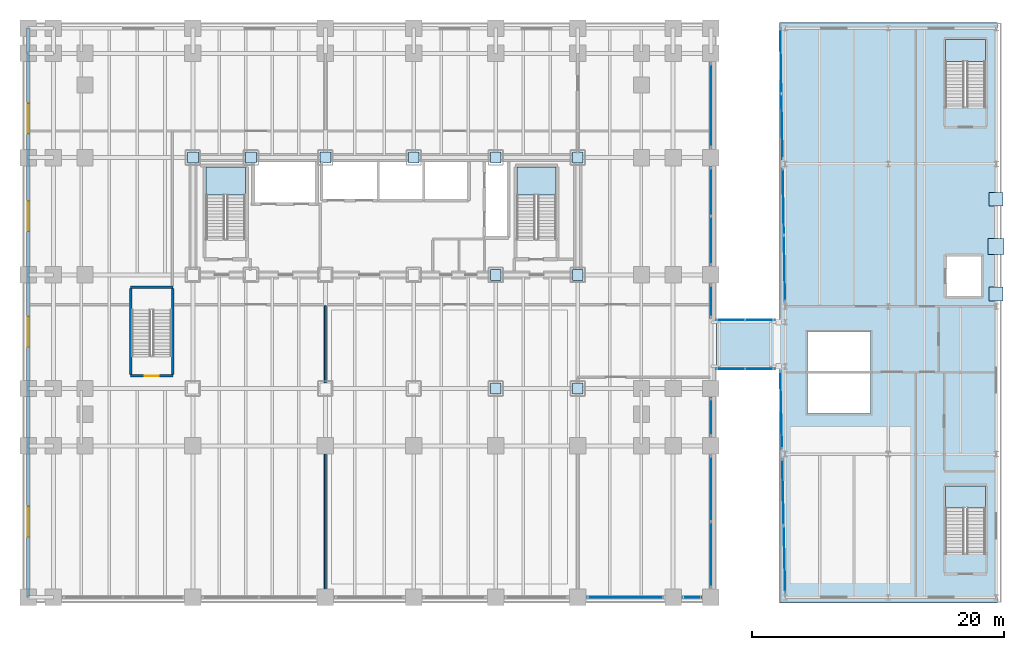
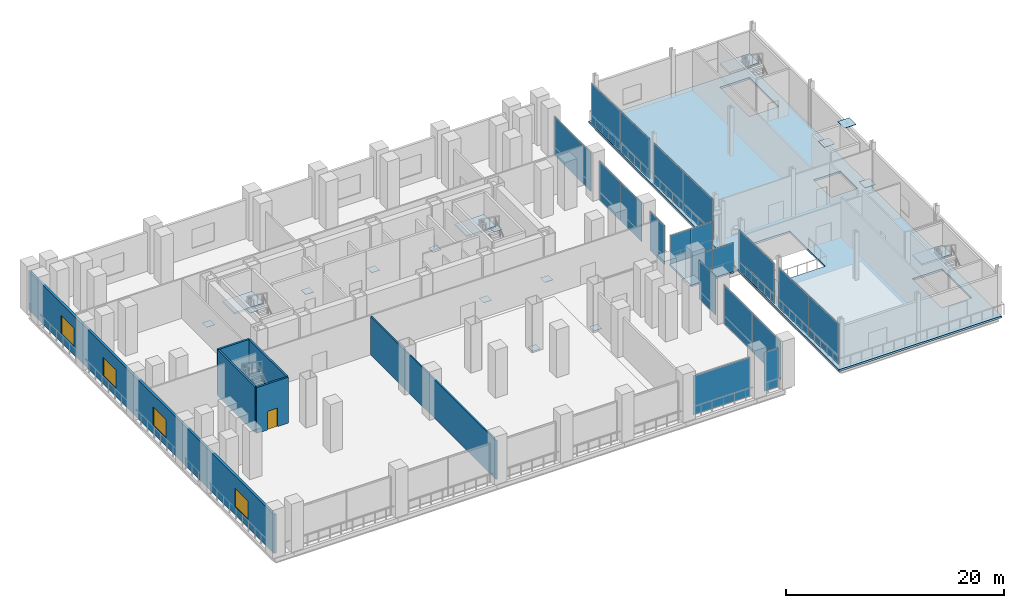
# One storey, part 21 of 31: 33 plates, 6 slabs, 6 walls, 4 windows, 1 door, 9 openings, 17 elements without a shape of their own.
"""IFC4 building model written with IfcOpenShell, lengths in metres."""

from ifc_helpers import new_model, si_unit, direction, frame, frame_2d, origin, origin_2d, place, context, subcontext, project, spatial, polyline, rectangle, outline, extrude, material, layer, layer_set, type_object, element, fill, aggregate, save


model = new_model("IFC4")

# Units and contexts
model_context = context("Model", 3, precision=1e-05, world=origin(), true_north=direction((0.0, 1.0)))
body_context = subcontext(model_context, "Body", "Model", "MODEL_VIEW")
ifc_project = project(units=[si_unit("LENGTHUNIT", "METRE"), si_unit("AREAUNIT", "SQUARE_METRE"), si_unit("VOLUMEUNIT", "CUBIC_METRE"), si_unit("PLANEANGLEUNIT", "RADIAN"), si_unit("MASSUNIT", "GRAM", prefix="KILO")], contexts=[model_context])

# Site, building, storey
site_placement = place(None, origin())
site = spatial("IfcSite", under=ifc_project, at=site_placement, CompositionType="ELEMENT")
building_placement = place(site_placement, origin())
building = spatial("IfcBuilding", under=site, at=building_placement, Name="Noeulbin Bourse Tower", CompositionType="ELEMENT")
storey_placement = place(building_placement, frame((0.0, 0.0, 11.199951171875)))
storey = spatial("IfcBuildingStorey", under=building, at=storey_placement, Name="L03", CompositionType="ELEMENT", Elevation=11.199951171875)

# Curtain wall, plate
ifc_material_1 = material(Name="Laminated Clear Low-E Glass", Category="glass")
curtain_wall_type_1 = type_object("IfcCurtainWallType", Name="CW-SYS-1", PredefinedType="NOTDEFINED", material=ifc_material_1)
curtain_wall_1_placement = place(storey_placement, origin())
curtain_wall_1 = element("IfcCurtainWall", 1, at=curtain_wall_1_placement, inside=storey, type_object=curtain_wall_type_1, Name="Unitised Curtain Wall CW-L03-POD-S-S6", PredefinedType="NOTDEFINED")
ifc_layer_1 = layer(ifc_material_1, 0.035888671875)
ifc_layer_set_1 = layer_set([ifc_layer_1], Name="Laminated Clear Low-E Glass")
plate_type_1 = type_object("IfcPlateType", Name="CW-SYS-1-PNL", PredefinedType="CURTAIN_PANEL", material=ifc_layer_set_1)
plate_1_placement = place(storey_placement, frame((47.77490234375, 3.449951171875, 0.0), z_axis=(0.0, 0.0, 1.0), x_axis=(1.0, 0.0, 0.0)))
plate_1 = element("IfcPlate", 2, at=plate_1_placement, type_object=plate_type_1, Name="Glazed Curtain Panel CW-L03-POD-S-S6-P00", PredefinedType="CURTAIN_PANEL", context=body_context, shape_type="SweptSolid", body=[
    extrude(rectangle(XDim=5.97998046875, YDim=0.035888671875, at=origin_2d()), origin(), (0.0, 0.0, 1.0), 4.3701171875),
])
aggregate(curtain_wall_1, [plate_1])

curtain_wall_2_placement = place(storey_placement, origin())
curtain_wall_2 = element("IfcCurtainWall", 3, at=curtain_wall_2_placement, inside=storey, type_object=curtain_wall_type_1, Name="Unitised Curtain Wall CW-L03-POD-S-S7", PredefinedType="NOTDEFINED")
plate_2_placement = place(storey_placement, frame((53.050048828125, 3.449951171875, 0.0), z_axis=(0.0, 0.0, 1.0), x_axis=(1.0, 0.0, 0.0)))
plate_2 = element("IfcPlate", 4, at=plate_2_placement, type_object=plate_type_1, Name="Glazed Curtain Panel CW-L03-POD-S-S7-P00", PredefinedType="CURTAIN_PANEL", context=body_context, shape_type="SweptSolid", body=[
    extrude(rectangle(XDim=1.429931640625, YDim=0.035888671875, at=origin_2d()), origin(), (0.0, 0.0, 1.0), 4.3701171875),
])
aggregate(curtain_wall_2, [plate_2])

# Curtain wall, plates
curtain_wall_3_placement = place(storey_placement, origin())
curtain_wall_3 = element("IfcCurtainWall", 5, at=curtain_wall_3_placement, inside=storey, type_object=curtain_wall_type_1, Name="Unitised Curtain Wall CW-L03-POD-E1-S1", PredefinedType="NOTDEFINED")
plate_3_placement = place(storey_placement, frame((54.550048828125, 6.842529296875, 0.0), z_axis=(0.0, 0.0, 1.0), x_axis=(0.0, 1.0, 0.0)))
plate_3 = element("IfcPlate", 6, at=plate_3_placement, type_object=plate_type_1, Name="Glazed Curtain Panel CW-L03-POD-E1-S1-P00", PredefinedType="CURTAIN_PANEL", context=body_context, shape_type="SweptSolid", body=[
    extrude(rectangle(XDim=5.215087890625, YDim=0.035888671875, at=origin_2d()), origin(), (0.0, 0.0, 1.0), 4.3701171875),
])
plate_4_placement = place(storey_placement, frame((54.550048828125, 12.0576171875, 0.0), z_axis=(0.0, 0.0, 1.0), x_axis=(0.0, 1.0, 0.0)))
plate_4 = element("IfcPlate", 7, at=plate_4_placement, type_object=plate_type_1, Name="Glazed Curtain Panel CW-L03-POD-E1-S1-P01", PredefinedType="CURTAIN_PANEL", context=body_context, shape_type="SweptSolid", body=[
    extrude(rectangle(XDim=5.215087890625, YDim=0.035888671875, at=origin_2d()), origin(), (0.0, 0.0, 1.0), 4.3701171875),
])
aggregate(curtain_wall_3, [plate_3, plate_4])

# Curtain wall, plate
curtain_wall_4_placement = place(storey_placement, origin())
curtain_wall_4 = element("IfcCurtainWall", 8, at=curtain_wall_4_placement, inside=storey, type_object=curtain_wall_type_1, Name="Unitised Curtain Wall CW-L03-POD-E1-S2", PredefinedType="NOTDEFINED")
plate_5_placement = place(storey_placement, frame((54.550048828125, 17.72509765625, 0.0), z_axis=(0.0, 0.0, 1.0), x_axis=(0.0, 1.0, 0.0)))
plate_5 = element("IfcPlate", 9, at=plate_5_placement, type_object=plate_type_1, Name="Glazed Curtain Panel CW-L03-POD-E1-S2-P00", PredefinedType="CURTAIN_PANEL", context=body_context, shape_type="SweptSolid", body=[
    extrude(rectangle(XDim=2.97998046875, YDim=0.035888671875, at=origin_2d()), origin(), (0.0, 0.0, 1.0), 4.3701171875),
])
aggregate(curtain_wall_4, [plate_5])

curtain_wall_5_placement = place(storey_placement, origin())
curtain_wall_5 = element("IfcCurtainWall", 10, at=curtain_wall_5_placement, inside=storey, type_object=curtain_wall_type_1, Name="Unitised Curtain Wall CW-L03-POD-E2-S1", PredefinedType="NOTDEFINED")
plate_6_placement = place(storey_placement, frame((54.550048828125, 26.907470703125, 0.0), z_axis=(0.0, 0.0, 1.0), x_axis=(0.0, 1.0, 0.0)))
plate_6 = element("IfcPlate", 11, at=plate_6_placement, type_object=plate_type_1, Name="Glazed Curtain Panel CW-L03-POD-E2-S1-P00", PredefinedType="CURTAIN_PANEL", context=body_context, shape_type="SweptSolid", body=[
    extrude(rectangle(XDim=2.614990234375, YDim=0.035888671875, at=origin_2d()), origin(), (0.0, 0.0, 1.0), 4.3701171875),
])
aggregate(curtain_wall_5, [plate_6])

# Curtain wall, plates
curtain_wall_6_placement = place(storey_placement, origin())
curtain_wall_6 = element("IfcCurtainWall", 12, at=curtain_wall_6_placement, inside=storey, type_object=curtain_wall_type_1, Name="Unitised Curtain Wall CW-L03-POD-E2-S2", PredefinedType="NOTDEFINED")
plate_7_placement = place(storey_placement, frame((54.550048828125, 31.717529296875, 0.0), z_axis=(0.0, 0.0, 1.0), x_axis=(0.0, 1.0, 0.0)))
plate_7 = element("IfcPlate", 13, at=plate_7_placement, type_object=plate_type_1, Name="Glazed Curtain Panel CW-L03-POD-E2-S2-P00", PredefinedType="CURTAIN_PANEL", context=body_context, shape_type="SweptSolid", body=[
    extrude(rectangle(XDim=3.864990234375, YDim=0.035888671875, at=origin_2d()), origin(), (0.0, 0.0, 1.0), 4.3701171875),
])
plate_8_placement = place(storey_placement, frame((54.550048828125, 35.58251953125, 0.0), z_axis=(0.0, 0.0, 1.0), x_axis=(0.0, 1.0, 0.0)))
plate_8 = element("IfcPlate", 14, at=plate_8_placement, type_object=plate_type_1, Name="Glazed Curtain Panel CW-L03-POD-E2-S2-P01", PredefinedType="CURTAIN_PANEL", context=body_context, shape_type="SweptSolid", body=[
    extrude(rectangle(XDim=3.864990234375, YDim=0.035888671875, at=origin_2d()), origin(), (0.0, 0.0, 1.0), 4.3701171875),
])
aggregate(curtain_wall_6, [plate_7, plate_8])

# Curtain wall, plate
curtain_wall_7_placement = place(storey_placement, origin())
curtain_wall_7 = element("IfcCurtainWall", 15, at=curtain_wall_7_placement, inside=storey, type_object=curtain_wall_type_1, Name="Unitised Curtain Wall CW-L03-POD-E2-S3", PredefinedType="NOTDEFINED")
plate_9_placement = place(storey_placement, frame((54.550048828125, 42.425048828125, 0.0), z_axis=(0.0, 0.0, 1.0), x_axis=(0.0, 1.0, 0.0)))
plate_9 = element("IfcPlate", 16, at=plate_9_placement, type_object=plate_type_1, Name="Glazed Curtain Panel CW-L03-POD-E2-S3-P00", PredefinedType="CURTAIN_PANEL", context=body_context, shape_type="SweptSolid", body=[
    extrude(rectangle(XDim=6.679931640625, YDim=0.035888671875, at=origin_2d()), origin(), (0.0, 0.0, 1.0), 4.3701171875),
])
aggregate(curtain_wall_7, [plate_9])

# Curtain wall, plates
curtain_wall_8_placement = place(storey_placement, origin())
curtain_wall_8 = element("IfcCurtainWall", 17, at=curtain_wall_8_placement, inside=storey, type_object=curtain_wall_type_1, Name="Unitised Curtain Wall CW-L03-MKT-W1-S1", PredefinedType="NOTDEFINED")
plate_10_placement = place(storey_placement, frame((60.382568359375, 6.474609375, 0.0), z_axis=(0.0, 0.0, 1.0), x_axis=(-0.022286009351, 0.999751636051, 0.0)))
plate_10 = element("IfcPlate", 18, at=plate_10_placement, type_object=plate_type_1, Name="Glazed Curtain Panel CW-L03-MKT-W1-S1-P00", PredefinedType="CURTAIN_PANEL", context=body_context, shape_type="SweptSolid", body=[
    extrude(rectangle(XDim=5.30224609375, YDim=0.035888671875, at=origin_2d()), origin(), (0.0, 0.0, 1.0), 4.5),
])
plate_11_placement = place(storey_placement, frame((60.264404296875, 11.775390625, 0.0), z_axis=(0.0, 0.0, 1.0), x_axis=(-0.022286009351, 0.999751636051, 0.0)))
plate_11 = element("IfcPlate", 19, at=plate_11_placement, type_object=plate_type_1, Name="Glazed Curtain Panel CW-L03-MKT-W1-S1-P01", PredefinedType="CURTAIN_PANEL", context=body_context, shape_type="SweptSolid", body=[
    extrude(rectangle(XDim=5.30224609375, YDim=0.035888671875, at=origin_2d()), origin(), (0.0, 0.0, 1.0), 4.5),
])
aggregate(curtain_wall_8, [plate_10, plate_11])

# Curtain wall, plate
curtain_wall_9_placement = place(storey_placement, origin())
curtain_wall_9 = element("IfcCurtainWall", 20, at=curtain_wall_9_placement, inside=storey, type_object=curtain_wall_type_1, Name="Unitised Curtain Wall CW-L03-MKT-W1-S2", PredefinedType="NOTDEFINED")
plate_12_placement = place(storey_placement, frame((60.119384765625, 18.287109375, 0.0), z_axis=(0.0, 0.0, 1.0), x_axis=(-0.02226856039, 0.999752024863, 0.0)))
plate_12 = element("IfcPlate", 21, at=plate_12_placement, type_object=plate_type_1, Name="Glazed Curtain Panel CW-L03-MKT-W1-S2-P00", PredefinedType="CURTAIN_PANEL", context=body_context, shape_type="SweptSolid", body=[
    extrude(rectangle(XDim=6.2275390625, YDim=0.035888671875, at=origin_2d()), origin(), (0.0, 0.0, 1.0), 4.5),
])
aggregate(curtain_wall_9, [plate_12])

# Curtain wall, plates
curtain_wall_10_placement = place(storey_placement, origin())
curtain_wall_10 = element("IfcCurtainWall", 22, at=curtain_wall_10_placement, inside=storey, type_object=curtain_wall_type_1, Name="Unitised Curtain Wall CW-L03-MKT-W2-S1", PredefinedType="NOTDEFINED")
plate_13_placement = place(storey_placement, frame((60.3818359375, 29.511962890625, 0.0), z_axis=(0.0, 0.0, 1.0), x_axis=(-0.017417505158, 0.999848303751, 0.0)))
plate_13 = element("IfcPlate", 23, at=plate_13_placement, type_object=plate_type_1, Name="Glazed Curtain Panel CW-L03-MKT-W2-S1-P00", PredefinedType="CURTAIN_PANEL", context=body_context, shape_type="SweptSolid", body=[
    extrude(rectangle(XDim=5.27685546875, YDim=0.035888671875, at=origin_2d()), origin(), (0.0, 0.0, 1.0), 4.5),
])
plate_14_placement = place(storey_placement, frame((60.289794921875, 34.7880859375, 0.0), z_axis=(0.0, 0.0, 1.0), x_axis=(-0.017417505158, 0.999848303751, 0.0)))
plate_14 = element("IfcPlate", 24, at=plate_14_placement, type_object=plate_type_1, Name="Glazed Curtain Panel CW-L03-MKT-W2-S1-P01", PredefinedType="CURTAIN_PANEL", context=body_context, shape_type="SweptSolid", body=[
    extrude(rectangle(XDim=5.27685546875, YDim=0.035888671875, at=origin_2d()), origin(), (0.0, 0.0, 1.0), 4.5),
])
aggregate(curtain_wall_10, [plate_13, plate_14])

curtain_wall_11_placement = place(storey_placement, origin())
curtain_wall_11 = element("IfcCurtainWall", 25, at=curtain_wall_11_placement, inside=storey, type_object=curtain_wall_type_1, Name="Unitised Curtain Wall CW-L03-MKT-W2-S2", PredefinedType="NOTDEFINED")
plate_15_placement = place(storey_placement, frame((60.185546875, 40.76806640625, 0.0), z_axis=(0.0, 0.0, 1.0), x_axis=(-0.017417505158, 0.999848303751, 0.0)))
plate_15 = element("IfcPlate", 26, at=plate_15_placement, type_object=plate_type_1, Name="Glazed Curtain Panel CW-L03-MKT-W2-S2-P00", PredefinedType="CURTAIN_PANEL", context=body_context, shape_type="SweptSolid", body=[
    extrude(rectangle(XDim=5.188720703125, YDim=0.035888671875, at=origin_2d()), origin(), (0.0, 0.0, 1.0), 4.5),
])
plate_16_placement = place(storey_placement, frame((60.09521484375, 45.9560546875, 0.0), z_axis=(0.0, 0.0, 1.0), x_axis=(-0.017417505158, 0.999848303751, 0.0)))
plate_16 = element("IfcPlate", 27, at=plate_16_placement, type_object=plate_type_1, Name="Glazed Curtain Panel CW-L03-MKT-W2-S2-P01", PredefinedType="CURTAIN_PANEL", context=body_context, shape_type="SweptSolid", body=[
    extrude(rectangle(XDim=5.188720703125, YDim=0.035888671875, at=origin_2d()), origin(), (0.0, 0.0, 1.0), 4.5),
])
aggregate(curtain_wall_11, [plate_15, plate_16])

ifc_material_2 = material(Name="Acoustic Laminated Skylight Glazing", Category="glass")
curtain_wall_type_2 = type_object("IfcCurtainWallType", Name="CW-SYS-6", PredefinedType="NOTDEFINED", material=ifc_material_2)
curtain_wall_12_placement = place(storey_placement, origin())
curtain_wall_12 = element("IfcCurtainWall", 28, at=curtain_wall_12_placement, inside=storey, type_object=curtain_wall_type_2, Name="Unitised Curtain Wall CW-L03-BRG-S", PredefinedType="NOTDEFINED")
ifc_layer_2 = layer(ifc_material_2, 0.035888671875)
ifc_layer_set_2 = layer_set([ifc_layer_2], Name="Acoustic Laminated Skylight Glazing")
plate_type_2 = type_object("IfcPlateType", Name="CW-SYS-6-PNL", PredefinedType="CURTAIN_PANEL", material=ifc_layer_set_2)
plate_17_placement = place(storey_placement, frame((56.14501953125, 21.56005859375, 0.0), z_axis=(0.0, 0.0, 1.0), x_axis=(1.0, 0.0, 0.0)))
plate_17 = element("IfcPlate", 29, at=plate_17_placement, type_object=plate_type_2, Name="Glazed Curtain Panel CW-L03-BRG-S-P00", PredefinedType="CURTAIN_PANEL", context=body_context, shape_type="SweptSolid", body=[
    extrude(rectangle(XDim=2.25, YDim=0.035888671875, at=origin_2d()), origin(), (0.0, 0.0, 1.0), 3.199951171875),
])
plate_18_placement = place(storey_placement, frame((58.39501953125, 21.56005859375, 0.0), z_axis=(0.0, 0.0, 1.0), x_axis=(1.0, 0.0, 0.0)))
plate_18 = element("IfcPlate", 30, at=plate_18_placement, type_object=plate_type_2, Name="Glazed Curtain Panel CW-L03-BRG-S-P01", PredefinedType="CURTAIN_PANEL", context=body_context, shape_type="SweptSolid", body=[
    extrude(rectangle(XDim=2.25, YDim=0.035888671875, at=origin_2d()), origin(), (0.0, 0.0, 1.0), 3.199951171875),
])
aggregate(curtain_wall_12, [plate_17, plate_18])

curtain_wall_13_placement = place(storey_placement, origin())
curtain_wall_13 = element("IfcCurtainWall", 31, at=curtain_wall_13_placement, inside=storey, type_object=curtain_wall_type_2, Name="Unitised Curtain Wall CW-L03-BRG-N", PredefinedType="NOTDEFINED")
plate_19_placement = place(storey_placement, frame((56.14501953125, 25.43994140625, 0.0), z_axis=(0.0, 0.0, 1.0), x_axis=(1.0, 0.0, 0.0)))
plate_19 = element("IfcPlate", 32, at=plate_19_placement, type_object=plate_type_2, Name="Glazed Curtain Panel CW-L03-BRG-N-P00", PredefinedType="CURTAIN_PANEL", context=body_context, shape_type="SweptSolid", body=[
    extrude(rectangle(XDim=2.25, YDim=0.035888671875, at=origin_2d()), origin(), (0.0, 0.0, 1.0), 3.199951171875),
])
plate_20_placement = place(storey_placement, frame((58.39501953125, 25.43994140625, 0.0), z_axis=(0.0, 0.0, 1.0), x_axis=(1.0, 0.0, 0.0)))
plate_20 = element("IfcPlate", 33, at=plate_20_placement, type_object=plate_type_2, Name="Glazed Curtain Panel CW-L03-BRG-N-P01", PredefinedType="CURTAIN_PANEL", context=body_context, shape_type="SweptSolid", body=[
    extrude(rectangle(XDim=2.25, YDim=0.035888671875, at=origin_2d()), origin(), (0.0, 0.0, 1.0), 3.199951171875),
])
aggregate(curtain_wall_13, [plate_19, plate_20])

# Plates
ifc_material_3 = material(Name="Steel S355", Category="steel")
ifc_layer_3 = layer(ifc_material_3, 0.030029296875)
ifc_layer_set_3 = layer_set([ifc_layer_3], Name="Steel S355")
plate_type_3 = type_object("IfcPlateType", Name="PLT-BN1", PredefinedType="USERDEFINED", material=ifc_layer_set_3)
for number, where, z_axis, x_axis, name in (
    (34, (13.5, 38.300048828125, 0.0048828125), (0.0, 0.0, 1.0), (1.0, 0.0, 0.0), "Mega-Column Splice Plate BN1-L03-02"),
    (35, (18.10009765625, 38.300048828125, 0.0048828125), (0.0, 0.0, 1.0), (1.0, 0.0, 0.0), "Mega-Column Splice Plate BN1-L03-04"),
    (36, (24.0, 38.300048828125, 0.0048828125), (0.0, 0.0, 1.0), (1.0, 0.0, 0.0), "Mega-Column Splice Plate BN1-L03-06"),
    (37, (31.0, 38.300048828125, 0.0048828125), (0.0, 0.0, 1.0), (1.0, 0.0, 0.0), "Mega-Column Splice Plate BN1-L03-08"),
    (38, (37.5, 29.0, 0.0048828125), (0.0, 0.0, 1.0), (1.0, 0.0, 0.0), "Mega-Column Splice Plate BN1-L03-09"),
    (39, (37.5, 38.300048828125, 0.0048828125), (0.0, 0.0, 1.0), (1.0, 0.0, 0.0), "Mega-Column Splice Plate BN1-L03-10"),
    (40, (44.0, 29.0, 0.0048828125), (0.0, 0.0, 1.0), (1.0, 0.0, 0.0), "Mega-Column Splice Plate BN1-L03-11"),
    (41, (44.0, 38.300048828125, 0.0048828125), (0.0, 0.0, 1.0), (1.0, 0.0, 0.0), "Mega-Column Splice Plate BN1-L03-12"),
    (42, (37.5, 20.0, 0.0048828125), (0.0, 0.0, 1.0), (1.0, 0.0, 0.0), "Mega-Column Splice Plate BN1-L03-16"),
    (43, (44.0, 20.0, 0.0048828125), (0.0, 0.0, 1.0), (1.0, 0.0, 0.0), "Mega-Column Splice Plate BN1-L03-17"),
):
    element("IfcPlate", number, at=place(storey_placement, frame(where, z_axis=z_axis, x_axis=x_axis)), inside=storey, type_object=plate_type_3, Name=name, ObjectType="SPLICE PLATE", PredefinedType="USERDEFINED", context=body_context, shape_type="SweptSolid", body=[
        extrude(rectangle(XDim=0.85009765625, YDim=0.85009765625, at=origin_2d()), origin(), (0.0, 0.0, 1.0), 0.030029296875),
    ])
ifc_material_4 = material(Name="Steel S460", Category="steel")
ifc_layer_4 = layer(ifc_material_4, 0.0400390625)
ifc_layer_set_4 = layer_set([ifc_layer_4], Name="Steel S460")
plate_type_4 = type_object("IfcPlateType", Name="PLT-KN1", PredefinedType="USERDEFINED", material=ifc_layer_set_4)
plate_21_placement = place(storey_placement, frame((77.14990234375, 31.25, 4.510009765625), z_axis=(0.0, 0.0, 1.0), x_axis=(1.0, 0.0, 0.0)))
element("IfcPlate", 44, at=plate_21_placement, inside=storey, type_object=plate_type_4, Name="Market Brace Apex Gusset Plate KN1-ML03M", ObjectType="GUSSET PLATE", PredefinedType="USERDEFINED", context=body_context, shape_type="SweptSolid", body=[
    extrude(rectangle(XDim=1.25, YDim=1.25, at=origin_2d()), origin(), (0.0, 0.0, 1.0), 0.0400390625),
])
ifc_layer_5 = layer(ifc_material_4, 0.035888671875)
ifc_layer_set_5 = layer_set([ifc_layer_5], Name="Steel S460")
plate_type_5 = type_object("IfcPlateType", Name="PLT-KN2", PredefinedType="USERDEFINED", material=ifc_layer_set_5)
for number, where, z_axis, x_axis, name in (
    (45, (77.14990234375, 27.5, 0.0419921875), (0.0, 0.0, 1.0), (1.0, 0.0, 0.0), "Market Brace South Gusset Plate KN2-ML03A"),
    (46, (77.14990234375, 35.0, 0.0419921875), (0.0, 0.0, 1.0), (1.0, 0.0, 0.0), "Market Brace North Gusset Plate KN2-ML03B"),
):
    element("IfcPlate", number, at=place(storey_placement, frame(where, z_axis=z_axis, x_axis=x_axis)), inside=storey, type_object=plate_type_5, Name=name, ObjectType="GUSSET PLATE", PredefinedType="USERDEFINED", context=body_context, shape_type="SweptSolid", body=[
        extrude(rectangle(XDim=1.10009765625, YDim=1.10009765625, at=origin_2d()), origin(), (0.0, 0.0, 1.0), 0.035888671875),
    ])

# Slab
ifc_material_5 = material(Name="Concrete C40/50", Category="concrete")
ifc_layer_6 = layer(ifc_material_5, 0.199951171875)
ifc_layer_set_6 = layer_set([ifc_layer_6], Name="Concrete C40/50")
slab_type_1 = type_object("IfcSlabType", Name="SLB-BRG-200", PredefinedType="FLOOR", material=ifc_layer_set_6)
slab_1_placement = place(storey_placement, frame((0.0, 0.0, -0.199951171875)))
element("IfcSlab", 47, at=slab_1_placement, inside=storey, type_object=slab_type_1, Name="Concourse Link Bridge Slab L03", PredefinedType="FLOOR", context=body_context, shape_type="SweptSolid", body=[
    extrude(outline(polyline([(55.0, 21.5), (59.550048828125, 21.5), (59.550048828125, 25.5), (55.0, 25.5), (55.0, 21.5)])), origin(), (0.0, 0.0, 1.0), 0.199951171875),
])

# Stair, slab
stair_type_1 = type_object("IfcStairType", Name="STR-CORE-1560", PredefinedType="HALF_TURN_STAIR", material=ifc_material_5)
stair_1_placement = place(storey_placement, origin())
stair_1 = element("IfcStair", 48, at=stair_1_placement, inside=storey, type_object=stair_type_1, Name="L03 ST-1", PredefinedType="HALF_TURN_STAIR")
ifc_layer_7 = layer(ifc_material_5, 0.199951171875)
ifc_layer_set_7 = layer_set([ifc_layer_7], Name="Concrete C40/50")
slab_type_2 = type_object("IfcSlabType", Name="SLB-LND-200", PredefinedType="LANDING", material=ifc_layer_set_7)
slab_2_placement = place(storey_placement, frame((0.0, 0.0, 2.5)))
slab_2 = element("IfcSlab", 49, at=slab_2_placement, type_object=slab_type_2, Name="ST-1 landing 1", PredefinedType="LANDING", context=body_context, shape_type="SweptSolid", body=[
    extrude(outline(polyline([(17.64990234375, 35.337890625), (17.64990234375, 37.5439453125), (14.550048828125, 37.5439453125), (14.550048828125, 35.337890625), (17.64990234375, 35.337890625)])), origin(), (0.0, 0.0, 1.0), 0.199951171875),
])
aggregate(stair_1, [slab_2])

stair_2_placement = place(storey_placement, origin())
stair_2 = element("IfcStair", 50, at=stair_2_placement, inside=storey, type_object=stair_type_1, Name="L03 ST-2", PredefinedType="HALF_TURN_STAIR")
slab_3_placement = place(storey_placement, frame((0.0, 0.0, 2.5)))
slab_3 = element("IfcSlab", 51, at=slab_3_placement, type_object=slab_type_2, Name="ST-2 landing 1", PredefinedType="LANDING", context=body_context, shape_type="SweptSolid", body=[
    extrude(outline(polyline([(42.280029296875, 35.337890625), (42.280029296875, 37.5439453125), (39.179931640625, 37.5439453125), (39.179931640625, 35.337890625), (42.280029296875, 35.337890625)])), origin(), (0.0, 0.0, 1.0), 0.199951171875),
])
aggregate(stair_2, [slab_3])

stair_type_2 = type_object("IfcStairType", Name="STR-MKT-1480", PredefinedType="HALF_TURN_STAIR", material=ifc_material_5)
stair_3_placement = place(storey_placement, origin())
stair_3 = element("IfcStair", 52, at=stair_3_placement, inside=storey, type_object=stair_type_2, Name="L03 MST-1", PredefinedType="HALF_TURN_STAIR")
slab_4_placement = place(storey_placement, frame((0.0, 0.0, 2.5)))
slab_4 = element("IfcSlab", 53, at=slab_4_placement, type_object=slab_type_2, Name="MST-1 landing 1", PredefinedType="LANDING", context=body_context, shape_type="SweptSolid", body=[
    extrude(outline(polyline([(76.300048828125, 10.52001953125), (76.300048828125, 12.260009765625), (73.139892578125, 12.260009765625), (73.139892578125, 10.52001953125), (76.300048828125, 10.52001953125)])), origin(), (0.0, 0.0, 1.0), 0.199951171875),
])
aggregate(stair_3, [slab_4])

stair_4_placement = place(storey_placement, origin())
stair_4 = element("IfcStair", 54, at=stair_4_placement, inside=storey, type_object=stair_type_2, Name="L03 MST-2", PredefinedType="HALF_TURN_STAIR")
slab_5_placement = place(storey_placement, frame((0.0, 0.0, 2.5)))
slab_5 = element("IfcSlab", 55, at=slab_5_placement, type_object=slab_type_2, Name="MST-2 landing 1", PredefinedType="LANDING", context=body_context, shape_type="SweptSolid", body=[
    extrude(outline(polyline([(76.300048828125, 45.919921875), (76.300048828125, 47.659912109375), (73.139892578125, 47.659912109375), (73.139892578125, 45.919921875), (76.300048828125, 45.919921875)])), origin(), (0.0, 0.0, 1.0), 0.199951171875),
])
aggregate(stair_4, [slab_5])

# Slab, openings
ifc_layer_8 = layer(ifc_material_5, 0.219970703125)
ifc_layer_set_8 = layer_set([ifc_layer_8], Name="Concrete C40/50")
slab_type_3 = type_object("IfcSlabType", Name="SLB-MKT-220", PredefinedType="FLOOR", material=ifc_layer_set_8)
slab_6_placement = place(storey_placement, frame((0.0, 0.0, -0.219970703125)))
slab_6 = element("IfcSlab", 56, at=slab_6_placement, inside=storey, type_object=slab_type_3, Name="Market Hall Floor Slab L03", PredefinedType="FLOOR", context=body_context, shape_type="SweptSolid", body=[
    extrude(outline(polyline([(60.0, 3.0), (77.27001953125, 3.0), (77.27001953125, 49.0), (60.0, 49.0), (60.0, 3.0)]), holes=[polyline([(76.300048828125, 6.8798828125), (76.300048828125, 12.260009765625), (73.139892578125, 12.260009765625), (73.139892578125, 6.8798828125), (76.300048828125, 6.8798828125)]), polyline([(76.300048828125, 42.280029296875), (76.300048828125, 47.659912109375), (73.139892578125, 47.659912109375), (73.139892578125, 42.280029296875), (76.300048828125, 42.280029296875)]), polyline([(73.199951171875, 27.300048828125), (76.0, 27.300048828125), (76.0, 30.5), (73.199951171875, 30.5), (73.199951171875, 27.300048828125)]), polyline([(62.199951171875, 18.0), (67.199951171875, 18.0), (67.199951171875, 24.5), (62.199951171875, 24.5), (62.199951171875, 18.0)])]), origin(), (0.0, 0.0, 1.0), 0.219970703125),
])
opening_1_placement = place(slab_6_placement, frame((0.0, 0.0, -0.010009765625)))
element("IfcOpeningElement", 57, at=opening_1_placement, cuts=slab_6, Name="Slab Shaft Opening SLB-L03-MKT-1", PredefinedType="OPENING", context=body_context, shape_type="SweptSolid", body=[
    extrude(outline(polyline([(76.300048828125, 6.8798828125), (76.300048828125, 12.260009765625), (73.139892578125, 12.260009765625), (73.139892578125, 6.8798828125), (76.300048828125, 6.8798828125)])), origin(), (0.0, 0.0, 1.0), 0.239990234375),
])
opening_2_placement = place(slab_6_placement, frame((0.0, 0.0, -0.010009765625)))
element("IfcOpeningElement", 58, at=opening_2_placement, cuts=slab_6, Name="Slab Shaft Opening SLB-L03-MKT-2", PredefinedType="OPENING", context=body_context, shape_type="SweptSolid", body=[
    extrude(outline(polyline([(76.300048828125, 42.280029296875), (76.300048828125, 47.659912109375), (73.139892578125, 47.659912109375), (73.139892578125, 42.280029296875), (76.300048828125, 42.280029296875)])), origin(), (0.0, 0.0, 1.0), 0.239990234375),
])
opening_3_placement = place(slab_6_placement, frame((0.0, 0.0, -0.010009765625)))
element("IfcOpeningElement", 59, at=opening_3_placement, cuts=slab_6, Name="Slab Shaft Opening SLB-L03-MKT-3", PredefinedType="OPENING", context=body_context, shape_type="SweptSolid", body=[
    extrude(outline(polyline([(73.199951171875, 27.300048828125), (76.0, 27.300048828125), (76.0, 30.5), (73.199951171875, 30.5), (73.199951171875, 27.300048828125)])), origin(), (0.0, 0.0, 1.0), 0.239990234375),
])
opening_4_placement = place(slab_6_placement, frame((0.0, 0.0, -0.010009765625)))
element("IfcOpeningElement", 60, at=opening_4_placement, cuts=slab_6, Name="Slab Shaft Opening SLB-L03-MKT-4", PredefinedType="OPENING", context=body_context, shape_type="SweptSolid", body=[
    extrude(outline(polyline([(62.199951171875, 18.0), (67.199951171875, 18.0), (67.199951171875, 24.5), (62.199951171875, 24.5), (62.199951171875, 18.0)])), origin(), (0.0, 0.0, 1.0), 0.239990234375),
])

# Wall, openings, windows
ifc_material_6 = material(Name="Precast Concrete C40/50", Category="concrete")
ifc_layer_9 = layer(ifc_material_6, 0.25)
ifc_layer_set_9 = layer_set([ifc_layer_9], Name="Precast Concrete C40/50")
wall_type_1 = type_object("IfcWallType", Name="WAL-EXT-250", PredefinedType="STANDARD", material=ifc_layer_set_9)
wall_1_placement = place(storey_placement, frame((0.449951171875, 3.449951171875, 0.0), z_axis=(0.0, 0.0, 1.0), x_axis=(0.0, 1.0, 0.0)))
wall_1 = element("IfcWall", 61, at=wall_1_placement, inside=storey, type_object=wall_type_1, Name="Podium West Precast Wall L03", PredefinedType="STANDARD", context=body_context, shape_type="SweptSolid", body=[
    extrude(rectangle(XDim=45.10009765625, YDim=0.25, at=frame_2d((22.550048828125, 0.0))), origin(), (0.0, 0.0, 1.0), 4.3701171875),
])
opening_5_placement = place(wall_1_placement, frame((4.800048828125, 0.0, 0.89990234375)))
opening_5 = element("IfcOpeningElement", 62, at=opening_5_placement, cuts=wall_1, Name="Opening W-01", PredefinedType="OPENING", context=body_context, shape_type="SweptSolid", body=[
    extrude(rectangle(XDim=2.39990234375, YDim=2.10009765625, at=frame_2d((1.199951171875, 1.050048828125))), frame((0.0, 0.135009765625, 0.0), z_axis=(0.0, -1.0, 0.0), x_axis=(1.0, 0.0, 0.0)), (0.0, 0.0, 1.0), 0.27001953125),
])
opening_6_placement = place(wall_1_placement, frame((19.85009765625, 0.0, 0.89990234375)))
opening_6 = element("IfcOpeningElement", 63, at=opening_6_placement, cuts=wall_1, Name="Opening W-01", PredefinedType="OPENING", context=body_context, shape_type="SweptSolid", body=[
    extrude(rectangle(XDim=2.39990234375, YDim=2.10009765625, at=frame_2d((1.199951171875, 1.050048828125))), frame((0.0, 0.135009765625, 0.0), z_axis=(0.0, -1.0, 0.0), x_axis=(1.0, 0.0, 0.0)), (0.0, 0.0, 1.0), 0.27001953125),
])
opening_7_placement = place(wall_1_placement, frame((29.0, 0.0, 0.89990234375)))
opening_7 = element("IfcOpeningElement", 64, at=opening_7_placement, cuts=wall_1, Name="Opening W-01", PredefinedType="OPENING", context=body_context, shape_type="SweptSolid", body=[
    extrude(rectangle(XDim=2.39990234375, YDim=2.10009765625, at=frame_2d((1.199951171875, 1.050048828125))), frame((0.0, 0.135009765625, 0.0), z_axis=(0.0, -1.0, 0.0), x_axis=(1.0, 0.0, 0.0)), (0.0, 0.0, 1.0), 0.27001953125),
])
opening_8_placement = place(wall_1_placement, frame((36.75, 0.0, 0.89990234375)))
opening_8 = element("IfcOpeningElement", 65, at=opening_8_placement, cuts=wall_1, Name="Opening W-01", PredefinedType="OPENING", context=body_context, shape_type="SweptSolid", body=[
    extrude(rectangle(XDim=2.39990234375, YDim=2.10009765625, at=frame_2d((1.199951171875, 1.050048828125))), frame((0.0, 0.135009765625, 0.0), z_axis=(0.0, -1.0, 0.0), x_axis=(1.0, 0.0, 0.0)), (0.0, 0.0, 1.0), 0.27001953125),
])
ifc_material_7 = material(Name="Thermally Broken Aluminium Triple Glazing", Category="aluminium")
window_type = type_object("IfcWindowType", Name="WIN-POD-2400x2100", PartitioningType="SINGLE_PANEL", PredefinedType="WINDOW", material=ifc_material_7)
window_1_placement = place(opening_5_placement, origin())
window_1 = element("IfcWindow", 66, at=window_1_placement, inside=storey, type_object=window_type, Name="Podium West Window L03-01", OverallHeight=2.10009765625, OverallWidth=2.39990234375, PartitioningType="SINGLE_PANEL", PredefinedType="WINDOW", context=body_context, shape_type="SweptSolid", body=[
    extrude(rectangle(XDim=2.39990234375, YDim=2.10009765625, at=frame_2d((1.199951171875, 1.050048828125))), frame((0.0, 0.030029296875, 0.0), z_axis=(0.0, -1.0, 0.0), x_axis=(1.0, 0.0, 0.0)), (0.0, 0.0, 1.0), 0.06005859375),
])
fill(opening_5, window_1)
window_2_placement = place(opening_6_placement, origin())
window_2 = element("IfcWindow", 67, at=window_2_placement, inside=storey, type_object=window_type, Name="Podium West Window L03-02", OverallHeight=2.10009765625, OverallWidth=2.39990234375, PartitioningType="SINGLE_PANEL", PredefinedType="WINDOW", context=body_context, shape_type="SweptSolid", body=[
    extrude(rectangle(XDim=2.39990234375, YDim=2.10009765625, at=frame_2d((1.199951171875, 1.050048828125))), frame((0.0, 0.030029296875, 0.0), z_axis=(0.0, -1.0, 0.0), x_axis=(1.0, 0.0, 0.0)), (0.0, 0.0, 1.0), 0.06005859375),
])
fill(opening_6, window_2)
window_3_placement = place(opening_7_placement, origin())
window_3 = element("IfcWindow", 68, at=window_3_placement, inside=storey, type_object=window_type, Name="Podium West Window L03-03", OverallHeight=2.10009765625, OverallWidth=2.39990234375, PartitioningType="SINGLE_PANEL", PredefinedType="WINDOW", context=body_context, shape_type="SweptSolid", body=[
    extrude(rectangle(XDim=2.39990234375, YDim=2.10009765625, at=frame_2d((1.199951171875, 1.050048828125))), frame((0.0, 0.030029296875, 0.0), z_axis=(0.0, -1.0, 0.0), x_axis=(1.0, 0.0, 0.0)), (0.0, 0.0, 1.0), 0.06005859375),
])
fill(opening_7, window_3)
window_4_placement = place(opening_8_placement, origin())
window_4 = element("IfcWindow", 69, at=window_4_placement, inside=storey, type_object=window_type, Name="Podium West Window L03-04", OverallHeight=2.10009765625, OverallWidth=2.39990234375, PartitioningType="SINGLE_PANEL", PredefinedType="WINDOW", context=body_context, shape_type="SweptSolid", body=[
    extrude(rectangle(XDim=2.39990234375, YDim=2.10009765625, at=frame_2d((1.199951171875, 1.050048828125))), frame((0.0, 0.030029296875, 0.0), z_axis=(0.0, -1.0, 0.0), x_axis=(1.0, 0.0, 0.0)), (0.0, 0.0, 1.0), 0.06005859375),
])
fill(opening_8, window_4)

# Wall, opening, door
ifc_layer_10 = layer(ifc_material_5, 0.199951171875)
ifc_layer_set_10 = layer_set([ifc_layer_10], Name="Concrete C40/50")
wall_type_2 = type_object("IfcWallType", Name="WAL-FIRE-200", PredefinedType="STANDARD", material=ifc_layer_set_10)
wall_2_placement = place(storey_placement, frame((8.56005859375, 21.0, 0.0), z_axis=(0.0, 0.0, 1.0), x_axis=(1.0, 0.0, 0.0)))
wall_2 = element("IfcWall", 70, at=wall_2_placement, inside=storey, type_object=wall_type_2, Name="Stair STP1 South Wall L03", PredefinedType="STANDARD", context=body_context, shape_type="SweptSolid", body=[
    extrude(rectangle(XDim=3.35986328125, YDim=0.199951171875, at=frame_2d((1.679931640625, 0.0))), origin(), (0.0, 0.0, 1.0), 5.150146484375),
])
opening_9_placement = place(wall_2_placement, frame((1.1298828125, 0.0, 0.0)))
opening_9 = element("IfcOpeningElement", 71, at=opening_9_placement, cuts=wall_2, Name="Opening FD-11", PredefinedType="OPENING", context=body_context, shape_type="SweptSolid", body=[
    extrude(rectangle(XDim=1.10009765625, YDim=2.080078125, at=frame_2d((0.550048828125, 1.0400390625))), frame((0.0, 0.10986328125, 0.0), z_axis=(0.0, -1.0, 0.0), x_axis=(1.0, 0.0, 0.0)), (0.0, 0.0, 1.0), 0.219970703125),
])
ifc_material_8 = material(Name="Fire-Rated Insulated Steel", Category="steel")
door_type = type_object("IfcDoorType", Name="DR-FD60-1100", OperationType="SINGLE_SWING_LEFT", PredefinedType="DOOR", material=ifc_material_8)
door_placement = place(opening_9_placement, origin())
door = element("IfcDoor", 72, at=door_placement, inside=storey, type_object=door_type, Name="Escape Stair Door STP1-L03", OperationType="SINGLE_SWING_RIGHT", OverallHeight=2.080078125, OverallWidth=1.10009765625, PredefinedType="DOOR", context=body_context, shape_type="SweptSolid", body=[
    extrude(rectangle(XDim=1.10009765625, YDim=2.080078125, at=frame_2d((0.550048828125, 1.0400390625))), frame((0.0, 0.02490234375, 0.0), z_axis=(0.0, -1.0, 0.0), x_axis=(1.0, 0.0, 0.0)), (0.0, 0.0, 1.0), 0.050048828125),
])
fill(opening_9, door)

# Walls
wall_3_placement = place(storey_placement, frame((8.56005859375, 28.0400390625, 0.0), z_axis=(0.0, 0.0, 1.0), x_axis=(1.0, 0.0, 0.0)))
element("IfcWall", 73, at=wall_3_placement, inside=storey, type_object=wall_type_2, Name="Stair STP1 North Wall L03", PredefinedType="STANDARD", context=body_context, shape_type="SweptSolid", body=[
    extrude(rectangle(XDim=3.35986328125, YDim=0.199951171875, at=frame_2d((1.679931640625, 0.0))), origin(), (0.0, 0.0, 1.0), 5.150146484375),
])
for number, where, z_axis, x_axis, name in (
    (74, (8.580078125, 21.10009765625, 0.0), (0.0, 0.0, 1.0), (0.0, 1.0, 0.0), "Stair STP1 West Wall L03"),
    (75, (11.89990234375, 21.10009765625, 0.0), (0.0, 0.0, 1.0), (0.0, 1.0, 0.0), "Stair STP1 East Wall L03"),
):
    element("IfcWall", number, at=place(storey_placement, frame(where, z_axis=z_axis, x_axis=x_axis)), inside=storey, type_object=wall_type_2, Name=name, PredefinedType="STANDARD", context=body_context, shape_type="SweptSolid", body=[
        extrude(rectangle(XDim=6.83984375, YDim=0.199951171875, at=frame_2d((3.419921875, 0.0))), origin(), (0.0, 0.0, 1.0), 5.150146484375),
    ])
ifc_material_9 = material(Name="Steel Stud Acoustic Gypsum Board", Category="steel")
ifc_layer_11 = layer(ifc_material_9, 0.14990234375)
ifc_layer_set_11 = layer_set([ifc_layer_11], Name="Steel Stud Acoustic Gypsum Board")
wall_type_3 = type_object("IfcWallType", Name="WAL-PRT-150", PredefinedType="PARTITIONING", material=ifc_layer_set_11)
wall_4_placement = place(storey_placement, frame((24.0, 3.530029296875, 0.0), z_axis=(0.0, 0.0, 1.0), x_axis=(0.0, 1.0, 0.0)))
element("IfcWall", 76, at=wall_4_placement, inside=storey, type_object=wall_type_3, Name="Interior Partition Wall L03-09", PredefinedType="PARTITIONING", context=body_context, shape_type="SweptSolid", body=[
    extrude(rectangle(XDim=23.034912109375, YDim=0.14990234375, at=frame_2d((11.517578125, 0.0))), origin(), (0.0, 0.0, 1.0), 4.330078125),
])

save(model, "model.ifc")
